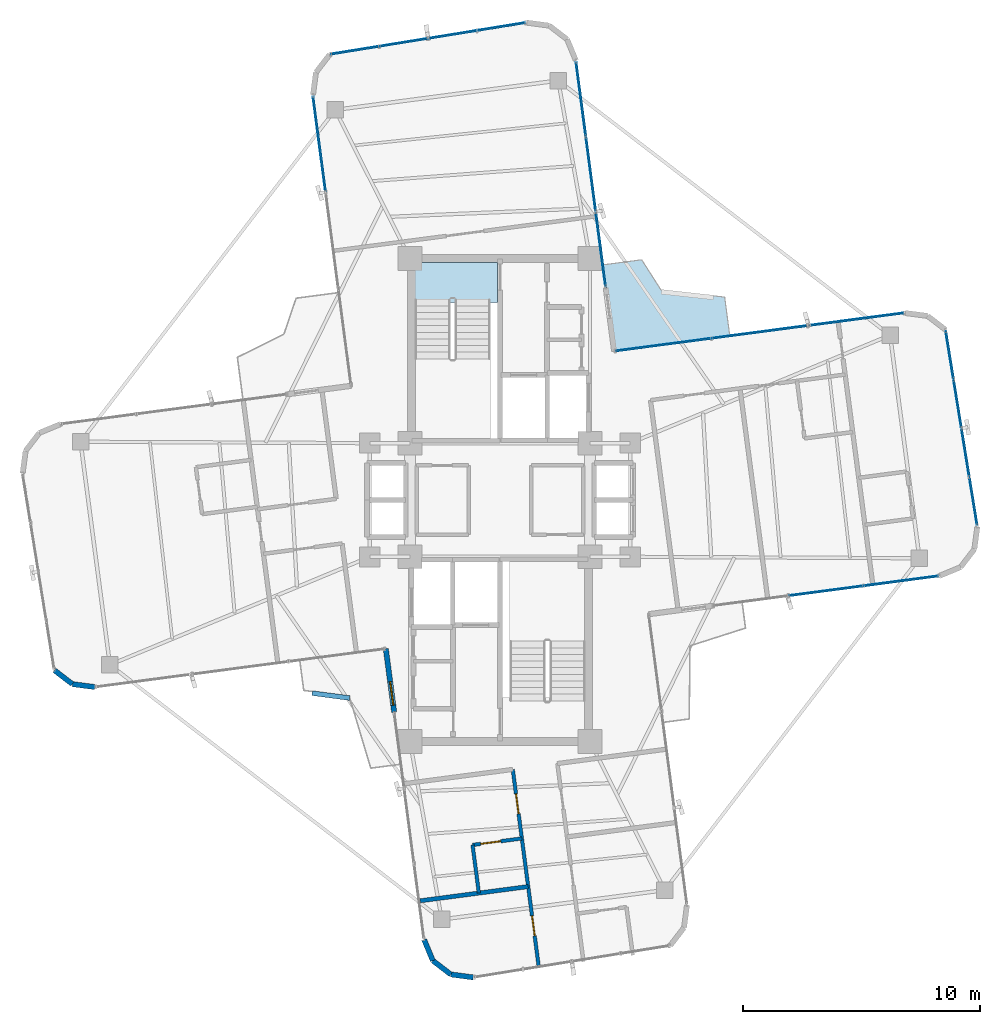
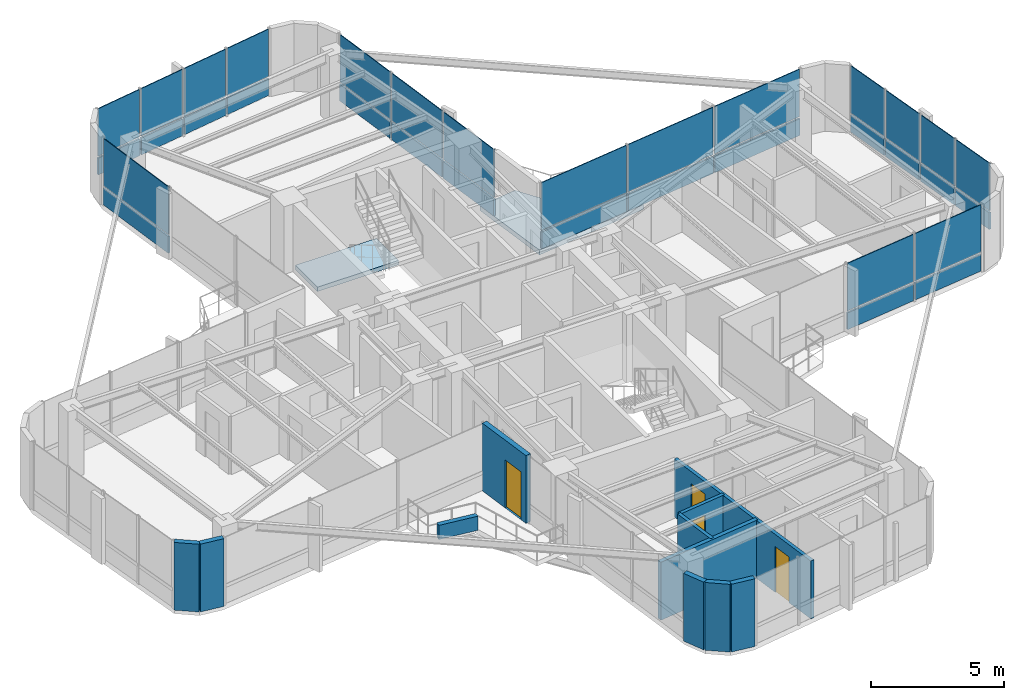
# One storey, part 18 of 22: 34 plates, 11 walls, 4 doors, 2 slabs, 4 openings, 6 elements without a shape of their own.
"""IFC4 building model written with IfcOpenShell, lengths in metres."""

from ifc_helpers import new_model, si_unit, direction, frame, frame_2d, origin, origin_2d, place, context, subcontext, project, spatial, polyline, rectangle, outline, extrude, source, transform, mapped, material, layer, layer_set, type_object, element, fill, aggregate, save


model = new_model("IFC4")

# Units and contexts
model_context = context("Model", 3, precision=1e-05, world=origin(), true_north=direction((0.0, 1.0)))
body_context = subcontext(model_context, "Body", "Model", "MODEL_VIEW")
ifc_project = project(units=[si_unit("LENGTHUNIT", "METRE"), si_unit("AREAUNIT", "SQUARE_METRE"), si_unit("VOLUMEUNIT", "CUBIC_METRE"), si_unit("PLANEANGLEUNIT", "RADIAN"), si_unit("MASSUNIT", "GRAM", prefix="KILO")], contexts=[model_context])

# Site, building, storey
site_placement = place(None, origin())
site = spatial("IfcSite", under=ifc_project, at=site_placement, CompositionType="ELEMENT")
building_placement = place(site_placement, origin())
building = spatial("IfcBuilding", under=site, at=building_placement, Name="Sahyath Konkavel Grand Hotel", CompositionType="ELEMENT")
storey_placement = place(building_placement, frame((0.0, 0.0, 269.10009765625)))
storey = spatial("IfcBuildingStorey", under=building, at=storey_placement, Name="L75", CompositionType="ELEMENT", Elevation=269.10009765625)

# Slabs
ifc_material_1 = material(Name="Concrete C40/50", Category="concrete")
ifc_layer_1 = layer(ifc_material_1, 0.219970703125)
ifc_layer_set_1 = layer_set([ifc_layer_1], Name="Concrete C40/50")
slab_type_1 = type_object("IfcSlabType", Name="SLB-BALCONY-220", PredefinedType="FLOOR", material=ifc_layer_set_1)
slab_1_placement = place(storey_placement, frame((0.0, 0.0, -0.22021484375)))
element("IfcSlab", 1, at=slab_1_placement, inside=storey, type_object=slab_type_1, Name="L75 Winter-Garden Balcony NE", PredefinedType="FLOOR", context=body_context, shape_type="SweptSolid", body=[
    extrude(outline(polyline([(4.821044921875, 6.282958984375), (9.702880859375, 6.92578125), (9.48681640625, 8.567626953125), (6.80126953125, 8.863525390625), (5.983154296875, 10.143798828125), (4.34130859375, 9.927490234375), (4.821044921875, 6.282958984375)])), origin(), (0.0, 0.0, 1.0), 0.22021484375),
])
ifc_layer_2 = layer(ifc_material_1, 0.199951171875)
ifc_layer_set_2 = layer_set([ifc_layer_2], Name="Concrete C40/50")
slab_type_2 = type_object("IfcSlabType", Name="SLB-STAIR-LND", PredefinedType="LANDING", material=ifc_layer_set_2)
slab_2_placement = place(storey_placement, frame((0.0, 0.0, -0.2001953125)))
element("IfcSlab", 2, at=slab_2_placement, inside=storey, type_object=slab_type_2, Name="L75 Stair ST-1 Floor Landing Slab", PredefinedType="LANDING", context=body_context, shape_type="SweptSolid", body=[
    extrude(outline(polyline([(-3.6201171875, 8.35009765625), (-0.10009765625, 8.35009765625), (-0.10009765625, 10.02001953125), (-3.6201171875, 10.02001953125), (-3.6201171875, 8.35009765625)])), origin(), (0.0, 0.0, 1.0), 0.2001953125),
])

# Curtain wall, plates
ifc_material_2 = material(Name="Anodised Bronze Aluminium & Low-E Glazing", Category="aluminium")
curtain_wall_type = type_object("IfcCurtainWallType", Name="CW-ZONE4", PredefinedType="NOTDEFINED", material=ifc_material_2)
curtain_wall_1_placement = place(storey_placement, origin())
curtain_wall_1 = element("IfcCurtainWall", 3, at=curtain_wall_1_placement, inside=storey, type_object=curtain_wall_type, Name="L75 Unitised Curtain Wall F0", PredefinedType="NOTDEFINED")
ifc_material_3 = material(Name="Warm Buff Sandstone Cladding", Category="masonry")
ifc_layer_3 = layer(ifc_material_3, 0.074951171875)
ifc_layer_set_3 = layer_set([ifc_layer_3], Name="Warm Buff Sandstone Cladding")
plate_type_1 = type_object("IfcPlateType", Name="PNL-SPANDREL-STONE", PredefinedType="SHEET", material=ifc_layer_set_3)
shared_shape_1 = source(origin(), body_context, "Body", "SweptSolid", [
    extrude(rectangle(XDim=3.123291015625, YDim=0.074951171875, at=origin_2d()), origin(), (0.0, 0.0, 1.0), 0.77001953125),
])
plate_1_placement = place(storey_placement, frame((13.763427734375, -3.836181640625, 0.039794921875), z_axis=(0.0, 0.0, 1.0), x_axis=(0.991444861374, 0.13052619222, 0.0)))
plate_1 = element("IfcPlate", 4, at=plate_1_placement, type_object=plate_type_1, Name="L75 Sandstone Relief Spandrel Panel F0-1", PredefinedType="SHEET", context=body_context, shape_type="MappedRepresentation", body=[
    mapped(shared_shape_1, transform((0.0, 0.0, 0.0), scale=1.0)),
])
plate_2_placement = place(storey_placement, frame((16.939453125, -3.418212890625, 0.039794921875), z_axis=(0.0, 0.0, 1.0), x_axis=(0.991444861374, 0.13052619222, 0.0)))
plate_2 = element("IfcPlate", 5, at=plate_2_placement, type_object=plate_type_1, Name="L75 Sandstone Relief Spandrel Panel F0-2", PredefinedType="SHEET", context=body_context, shape_type="MappedRepresentation", body=[
    mapped(shared_shape_1, transform((0.0, 0.0, 0.0), scale=1.0)),
])

curtain_wall_2_placement = place(storey_placement, origin())
curtain_wall_2 = element("IfcCurtainWall", 6, at=curtain_wall_2_placement, inside=storey, type_object=curtain_wall_type, Name="L75 Unitised Curtain Wall F8", PredefinedType="NOTDEFINED")
plate_3_placement = place(storey_placement, frame((4.25439453125, 10.587646484375, 0.039794921875), z_axis=(0.0, 0.0, 1.0), x_axis=(-0.13052619222, 0.991444861374, 0.0)))
plate_3 = element("IfcPlate", 7, at=plate_3_placement, type_object=plate_type_1, Name="L75 Sandstone Relief Spandrel Panel F8-0", PredefinedType="SHEET", context=body_context, shape_type="MappedRepresentation", body=[
    mapped(shared_shape_1, transform((0.0, 0.0, 0.0), scale=1.0)),
])
plate_4_placement = place(storey_placement, frame((3.836181640625, 13.763427734375, 0.039794921875), z_axis=(0.0, 0.0, 1.0), x_axis=(-0.13052619222, 0.991444861374, 0.0)))
plate_4 = element("IfcPlate", 8, at=plate_4_placement, type_object=plate_type_1, Name="L75 Sandstone Relief Spandrel Panel F8-1", PredefinedType="SHEET", context=body_context, shape_type="MappedRepresentation", body=[
    mapped(shared_shape_1, transform((0.0, 0.0, 0.0), scale=1.0)),
])
plate_5_placement = place(storey_placement, frame((3.418212890625, 16.939453125, 0.039794921875), z_axis=(0.0, 0.0, 1.0), x_axis=(-0.13052619222, 0.991444861374, 0.0)))
plate_5 = element("IfcPlate", 9, at=plate_5_placement, type_object=plate_type_1, Name="L75 Sandstone Relief Spandrel Panel F8-2", PredefinedType="SHEET", context=body_context, shape_type="MappedRepresentation", body=[
    mapped(shared_shape_1, transform((0.0, 0.0, 0.0), scale=1.0)),
])

# Plate
ifc_material_4 = material(Name="Low-E Solar Control Double Glazing", Category="glass")
ifc_layer_4 = layer(ifc_material_4, 0.035888671875)
ifc_layer_set_4 = layer_set([ifc_layer_4], Name="Low-E Solar Control Double Glazing")
plate_type_2 = type_object("IfcPlateType", Name="PNL-VISION-LOWE", PredefinedType="CURTAIN_PANEL", material=ifc_layer_set_4)
shared_shape_2 = source(origin(), body_context, "Body", "SweptSolid", [
    extrude(rectangle(XDim=3.123291015625, YDim=0.035888671875, at=origin_2d()), origin(), (0.0, 0.0, 1.0), 2.179931640625),
])
plate_6_placement = place(storey_placement, frame((13.763427734375, -3.836181640625, 0.89013671875), z_axis=(0.0, 0.0, 1.0), x_axis=(0.991444861374, 0.13052619222, 0.0)))
plate_6 = element("IfcPlate", 10, at=plate_6_placement, type_object=plate_type_2, Name="L75 Low-E Vision Glazing Panel F0-1", PredefinedType="CURTAIN_PANEL", context=body_context, shape_type="MappedRepresentation", body=[
    mapped(shared_shape_2, transform((0.0, 0.0, 0.0), scale=1.0)),
])

plate_7_placement = place(storey_placement, frame((16.939453125, -3.418212890625, 0.89013671875), z_axis=(0.0, 0.0, 1.0), x_axis=(0.991444861374, 0.13052619222, 0.0)))
plate_7 = element("IfcPlate", 11, at=plate_7_placement, type_object=plate_type_2, Name="L75 Low-E Vision Glazing Panel F0-2", PredefinedType="CURTAIN_PANEL", context=body_context, shape_type="MappedRepresentation", body=[
    mapped(shared_shape_2, transform((0.0, 0.0, 0.0), scale=1.0)),
])

aggregate(curtain_wall_1, [plate_1, plate_6, plate_2, plate_7])

plate_8_placement = place(storey_placement, frame((4.25439453125, 10.587646484375, 0.89013671875), z_axis=(0.0, 0.0, 1.0), x_axis=(-0.13052619222, 0.991444861374, 0.0)))
plate_8 = element("IfcPlate", 12, at=plate_8_placement, type_object=plate_type_2, Name="L75 Low-E Vision Glazing Panel F8-0", PredefinedType="CURTAIN_PANEL", context=body_context, shape_type="MappedRepresentation", body=[
    mapped(shared_shape_2, transform((0.0, 0.0, 0.0), scale=1.0)),
])

plate_9_placement = place(storey_placement, frame((3.836181640625, 13.763427734375, 0.89013671875), z_axis=(0.0, 0.0, 1.0), x_axis=(-0.13052619222, 0.991444861374, 0.0)))
plate_9 = element("IfcPlate", 13, at=plate_9_placement, type_object=plate_type_2, Name="L75 Low-E Vision Glazing Panel F8-1", PredefinedType="CURTAIN_PANEL", context=body_context, shape_type="MappedRepresentation", body=[
    mapped(shared_shape_2, transform((0.0, 0.0, 0.0), scale=1.0)),
])

plate_10_placement = place(storey_placement, frame((3.418212890625, 16.939453125, 0.89013671875), z_axis=(0.0, 0.0, 1.0), x_axis=(-0.13052619222, 0.991444861374, 0.0)))
plate_10 = element("IfcPlate", 14, at=plate_10_placement, type_object=plate_type_2, Name="L75 Low-E Vision Glazing Panel F8-2", PredefinedType="CURTAIN_PANEL", context=body_context, shape_type="MappedRepresentation", body=[
    mapped(shared_shape_2, transform((0.0, 0.0, 0.0), scale=1.0)),
])

aggregate(curtain_wall_2, [plate_3, plate_8, plate_4, plate_9, plate_5, plate_10])

# Curtain wall, plates
curtain_wall_3_placement = place(storey_placement, origin())
curtain_wall_3 = element("IfcCurtainWall", 15, at=curtain_wall_3_placement, inside=storey, type_object=curtain_wall_type, Name="L75 Unitised Curtain Wall F4", PredefinedType="NOTDEFINED")
shared_shape_3 = source(origin(), body_context, "Body", "SweptSolid", [
    extrude(rectangle(XDim=2.007080078125, YDim=0.074951171875, at=origin_2d()), origin(), (0.0, 0.0, 1.0), 0.77001953125),
])
plate_11_placement = place(storey_placement, frame((19.98681640625, -0.05859375, 0.039794921875), z_axis=(0.0, 0.0, 1.0), x_axis=(-0.159622750546, 0.987178088041, 0.0)))
plate_11 = element("IfcPlate", 16, at=plate_11_placement, type_object=plate_type_1, Name="L75 Sandstone Relief Spandrel Panel F4-0", PredefinedType="SHEET", context=body_context, shape_type="MappedRepresentation", body=[
    mapped(shared_shape_3, transform((0.0, 0.0, 0.0), scale=1.0)),
])
plate_12_placement = place(storey_placement, frame((19.653564453125, 2.001708984375, 0.039794921875), z_axis=(0.0, 0.0, 1.0), x_axis=(-0.159622750546, 0.987178088041, 0.0)))
plate_12 = element("IfcPlate", 17, at=plate_12_placement, type_object=plate_type_1, Name="L75 Sandstone Relief Spandrel Panel F4-1", PredefinedType="SHEET", context=body_context, shape_type="MappedRepresentation", body=[
    mapped(shared_shape_3, transform((0.0, 0.0, 0.0), scale=1.0)),
])
plate_13_placement = place(storey_placement, frame((19.3203125, 4.062255859375, 0.039794921875), z_axis=(0.0, 0.0, 1.0), x_axis=(-0.159622750546, 0.987178088041, 0.0)))
plate_13 = element("IfcPlate", 18, at=plate_13_placement, type_object=plate_type_1, Name="L75 Sandstone Relief Spandrel Panel F4-2", PredefinedType="SHEET", context=body_context, shape_type="MappedRepresentation", body=[
    mapped(shared_shape_3, transform((0.0, 0.0, 0.0), scale=1.0)),
])
plate_14_placement = place(storey_placement, frame((18.9873046875, 6.12255859375, 0.039794921875), z_axis=(0.0, 0.0, 1.0), x_axis=(-0.159622750546, 0.987178088041, 0.0)))
plate_14 = element("IfcPlate", 19, at=plate_14_placement, type_object=plate_type_1, Name="L75 Sandstone Relief Spandrel Panel F4-3", PredefinedType="SHEET", context=body_context, shape_type="MappedRepresentation", body=[
    mapped(shared_shape_3, transform((0.0, 0.0, 0.0), scale=1.0)),
])

curtain_wall_4_placement = place(storey_placement, origin())
curtain_wall_4 = element("IfcCurtainWall", 20, at=curtain_wall_4_placement, inside=storey, type_object=curtain_wall_type, Name="L75 Unitised Curtain Wall F12", PredefinedType="NOTDEFINED")
plate_15_placement = place(storey_placement, frame((0.05859375, 19.98681640625, 0.039794921875), z_axis=(0.0, 0.0, 1.0), x_axis=(-0.987178088041, -0.159622750546, 0.0)))
plate_15 = element("IfcPlate", 21, at=plate_15_placement, type_object=plate_type_1, Name="L75 Sandstone Relief Spandrel Panel F12-0", PredefinedType="SHEET", context=body_context, shape_type="MappedRepresentation", body=[
    mapped(shared_shape_3, transform((0.0, 0.0, 0.0), scale=1.0)),
])
plate_16_placement = place(storey_placement, frame((-2.001708984375, 19.653564453125, 0.039794921875), z_axis=(0.0, 0.0, 1.0), x_axis=(-0.987178088041, -0.159622750546, 0.0)))
plate_16 = element("IfcPlate", 22, at=plate_16_placement, type_object=plate_type_1, Name="L75 Sandstone Relief Spandrel Panel F12-1", PredefinedType="SHEET", context=body_context, shape_type="MappedRepresentation", body=[
    mapped(shared_shape_3, transform((0.0, 0.0, 0.0), scale=1.0)),
])
plate_17_placement = place(storey_placement, frame((-4.062255859375, 19.3203125, 0.039794921875), z_axis=(0.0, 0.0, 1.0), x_axis=(-0.987178088041, -0.159622750546, 0.0)))
plate_17 = element("IfcPlate", 23, at=plate_17_placement, type_object=plate_type_1, Name="L75 Sandstone Relief Spandrel Panel F12-2", PredefinedType="SHEET", context=body_context, shape_type="MappedRepresentation", body=[
    mapped(shared_shape_3, transform((0.0, 0.0, 0.0), scale=1.0)),
])
plate_18_placement = place(storey_placement, frame((-6.12255859375, 18.9873046875, 0.039794921875), z_axis=(0.0, 0.0, 1.0), x_axis=(-0.987178088041, -0.159622750546, 0.0)))
plate_18 = element("IfcPlate", 24, at=plate_18_placement, type_object=plate_type_1, Name="L75 Sandstone Relief Spandrel Panel F12-3", PredefinedType="SHEET", context=body_context, shape_type="MappedRepresentation", body=[
    mapped(shared_shape_3, transform((0.0, 0.0, 0.0), scale=1.0)),
])

# Plate
shared_shape_4 = source(origin(), body_context, "Body", "SweptSolid", [
    extrude(rectangle(XDim=2.007080078125, YDim=0.035888671875, at=origin_2d()), origin(), (0.0, 0.0, 1.0), 2.179931640625),
])
plate_19_placement = place(storey_placement, frame((19.98681640625, -0.05859375, 0.89013671875), z_axis=(0.0, 0.0, 1.0), x_axis=(-0.159622750546, 0.987178088041, 0.0)))
plate_19 = element("IfcPlate", 25, at=plate_19_placement, type_object=plate_type_2, Name="L75 Low-E Vision Glazing Panel F4-0", PredefinedType="CURTAIN_PANEL", context=body_context, shape_type="MappedRepresentation", body=[
    mapped(shared_shape_4, transform((0.0, 0.0, 0.0), scale=1.0)),
])

plate_20_placement = place(storey_placement, frame((19.653564453125, 2.001708984375, 0.89013671875), z_axis=(0.0, 0.0, 1.0), x_axis=(-0.159622750546, 0.987178088041, 0.0)))
plate_20 = element("IfcPlate", 26, at=plate_20_placement, type_object=plate_type_2, Name="L75 Low-E Vision Glazing Panel F4-1", PredefinedType="CURTAIN_PANEL", context=body_context, shape_type="MappedRepresentation", body=[
    mapped(shared_shape_4, transform((0.0, 0.0, 0.0), scale=1.0)),
])

plate_21_placement = place(storey_placement, frame((19.3203125, 4.062255859375, 0.89013671875), z_axis=(0.0, 0.0, 1.0), x_axis=(-0.159622750546, 0.987178088041, 0.0)))
plate_21 = element("IfcPlate", 27, at=plate_21_placement, type_object=plate_type_2, Name="L75 Low-E Vision Glazing Panel F4-2", PredefinedType="CURTAIN_PANEL", context=body_context, shape_type="MappedRepresentation", body=[
    mapped(shared_shape_4, transform((0.0, 0.0, 0.0), scale=1.0)),
])

plate_22_placement = place(storey_placement, frame((18.9873046875, 6.12255859375, 0.89013671875), z_axis=(0.0, 0.0, 1.0), x_axis=(-0.159622750546, 0.987178088041, 0.0)))
plate_22 = element("IfcPlate", 28, at=plate_22_placement, type_object=plate_type_2, Name="L75 Low-E Vision Glazing Panel F4-3", PredefinedType="CURTAIN_PANEL", context=body_context, shape_type="MappedRepresentation", body=[
    mapped(shared_shape_4, transform((0.0, 0.0, 0.0), scale=1.0)),
])

aggregate(curtain_wall_3, [plate_11, plate_19, plate_12, plate_20, plate_13, plate_21, plate_14, plate_22])

plate_23_placement = place(storey_placement, frame((0.05859375, 19.98681640625, 0.89013671875), z_axis=(0.0, 0.0, 1.0), x_axis=(-0.987178088041, -0.159622750546, 0.0)))
plate_23 = element("IfcPlate", 29, at=plate_23_placement, type_object=plate_type_2, Name="L75 Low-E Vision Glazing Panel F12-0", PredefinedType="CURTAIN_PANEL", context=body_context, shape_type="MappedRepresentation", body=[
    mapped(shared_shape_4, transform((0.0, 0.0, 0.0), scale=1.0)),
])

plate_24_placement = place(storey_placement, frame((-2.001708984375, 19.653564453125, 0.89013671875), z_axis=(0.0, 0.0, 1.0), x_axis=(-0.987178088041, -0.159622750546, 0.0)))
plate_24 = element("IfcPlate", 30, at=plate_24_placement, type_object=plate_type_2, Name="L75 Low-E Vision Glazing Panel F12-1", PredefinedType="CURTAIN_PANEL", context=body_context, shape_type="MappedRepresentation", body=[
    mapped(shared_shape_4, transform((0.0, 0.0, 0.0), scale=1.0)),
])

plate_25_placement = place(storey_placement, frame((-4.062255859375, 19.3203125, 0.89013671875), z_axis=(0.0, 0.0, 1.0), x_axis=(-0.987178088041, -0.159622750546, 0.0)))
plate_25 = element("IfcPlate", 31, at=plate_25_placement, type_object=plate_type_2, Name="L75 Low-E Vision Glazing Panel F12-2", PredefinedType="CURTAIN_PANEL", context=body_context, shape_type="MappedRepresentation", body=[
    mapped(shared_shape_4, transform((0.0, 0.0, 0.0), scale=1.0)),
])

plate_26_placement = place(storey_placement, frame((-6.12255859375, 18.9873046875, 0.89013671875), z_axis=(0.0, 0.0, 1.0), x_axis=(-0.987178088041, -0.159622750546, 0.0)))
plate_26 = element("IfcPlate", 32, at=plate_26_placement, type_object=plate_type_2, Name="L75 Low-E Vision Glazing Panel F12-3", PredefinedType="CURTAIN_PANEL", context=body_context, shape_type="MappedRepresentation", body=[
    mapped(shared_shape_4, transform((0.0, 0.0, 0.0), scale=1.0)),
])

aggregate(curtain_wall_4, [plate_15, plate_23, plate_16, plate_24, plate_17, plate_25, plate_18, plate_26])

# Curtain wall, plates
curtain_wall_5_placement = place(storey_placement, origin())
curtain_wall_5 = element("IfcCurtainWall", 33, at=curtain_wall_5_placement, inside=storey, type_object=curtain_wall_type, Name="L75 Unitised Curtain Wall F7", PredefinedType="NOTDEFINED")
shared_shape_5 = source(origin(), body_context, "Body", "SweptSolid", [
    extrude(rectangle(XDim=4.023193359375, YDim=0.074951171875, at=origin_2d()), origin(), (0.0, 0.0, 1.0), 0.77001953125),
])
plate_27_placement = place(storey_placement, frame((15.03125, 7.627197265625, 0.039794921875), z_axis=(0.0, 0.0, 1.0), x_axis=(-0.991444861374, -0.13052619222, 0.0)))
plate_27 = element("IfcPlate", 34, at=plate_27_placement, type_object=plate_type_1, Name="L75 Sandstone Relief Spandrel Panel F7-0", PredefinedType="SHEET", context=body_context, shape_type="MappedRepresentation", body=[
    mapped(shared_shape_5, transform((0.0, 0.0, 0.0), scale=1.0)),
])
plate_28_placement = place(storey_placement, frame((10.963134765625, 7.091552734375, 0.039794921875), z_axis=(0.0, 0.0, 1.0), x_axis=(-0.991444861374, -0.13052619222, 0.0)))
plate_28 = element("IfcPlate", 35, at=plate_28_placement, type_object=plate_type_1, Name="L75 Sandstone Relief Spandrel Panel F7-1", PredefinedType="SHEET", context=body_context, shape_type="MappedRepresentation", body=[
    mapped(shared_shape_5, transform((0.0, 0.0, 0.0), scale=1.0)),
])
plate_29_placement = place(storey_placement, frame((6.89501953125, 6.555908203125, 0.039794921875), z_axis=(0.0, 0.0, 1.0), x_axis=(-0.991444861374, -0.13052619222, 0.0)))
plate_29 = element("IfcPlate", 36, at=plate_29_placement, type_object=plate_type_1, Name="L75 Sandstone Relief Spandrel Panel F7-2", PredefinedType="SHEET", context=body_context, shape_type="MappedRepresentation", body=[
    mapped(shared_shape_5, transform((0.0, 0.0, 0.0), scale=1.0)),
])

# Curtain wall, plate
curtain_wall_6_placement = place(storey_placement, origin())
curtain_wall_6 = element("IfcCurtainWall", 37, at=curtain_wall_6_placement, inside=storey, type_object=curtain_wall_type, Name="L75 Unitised Curtain Wall F15", PredefinedType="NOTDEFINED")
plate_30_placement = place(storey_placement, frame((-7.627197265625, 15.03125, 0.039794921875), z_axis=(0.0, 0.0, 1.0), x_axis=(0.13052619222, -0.991444861374, 0.0)))
plate_30 = element("IfcPlate", 38, at=plate_30_placement, type_object=plate_type_1, Name="L75 Sandstone Relief Spandrel Panel F15-0", PredefinedType="SHEET", context=body_context, shape_type="MappedRepresentation", body=[
    mapped(shared_shape_5, transform((0.0, 0.0, 0.0), scale=1.0)),
])

# Plate
shared_shape_6 = source(origin(), body_context, "Body", "SweptSolid", [
    extrude(rectangle(XDim=4.023193359375, YDim=0.035888671875, at=origin_2d()), origin(), (0.0, 0.0, 1.0), 2.179931640625),
])
plate_31_placement = place(storey_placement, frame((15.03125, 7.627197265625, 0.89013671875), z_axis=(0.0, 0.0, 1.0), x_axis=(-0.991444861374, -0.13052619222, 0.0)))
plate_31 = element("IfcPlate", 39, at=plate_31_placement, type_object=plate_type_2, Name="L75 Low-E Vision Glazing Panel F7-0", PredefinedType="CURTAIN_PANEL", context=body_context, shape_type="MappedRepresentation", body=[
    mapped(shared_shape_6, transform((0.0, 0.0, 0.0), scale=1.0)),
])

plate_32_placement = place(storey_placement, frame((10.963134765625, 7.091552734375, 0.89013671875), z_axis=(0.0, 0.0, 1.0), x_axis=(-0.991444861374, -0.13052619222, 0.0)))
plate_32 = element("IfcPlate", 40, at=plate_32_placement, type_object=plate_type_2, Name="L75 Low-E Vision Glazing Panel F7-1", PredefinedType="CURTAIN_PANEL", context=body_context, shape_type="MappedRepresentation", body=[
    mapped(shared_shape_6, transform((0.0, 0.0, 0.0), scale=1.0)),
])

plate_33_placement = place(storey_placement, frame((6.89501953125, 6.555908203125, 0.89013671875), z_axis=(0.0, 0.0, 1.0), x_axis=(-0.991444861374, -0.13052619222, 0.0)))
plate_33 = element("IfcPlate", 41, at=plate_33_placement, type_object=plate_type_2, Name="L75 Low-E Vision Glazing Panel F7-2", PredefinedType="CURTAIN_PANEL", context=body_context, shape_type="MappedRepresentation", body=[
    mapped(shared_shape_6, transform((0.0, 0.0, 0.0), scale=1.0)),
])

aggregate(curtain_wall_5, [plate_27, plate_31, plate_28, plate_32, plate_29, plate_33])

plate_34_placement = place(storey_placement, frame((-7.627197265625, 15.03125, 0.89013671875), z_axis=(0.0, 0.0, 1.0), x_axis=(0.13052619222, -0.991444861374, 0.0)))
plate_34 = element("IfcPlate", 42, at=plate_34_placement, type_object=plate_type_2, Name="L75 Low-E Vision Glazing Panel F15-0", PredefinedType="CURTAIN_PANEL", context=body_context, shape_type="MappedRepresentation", body=[
    mapped(shared_shape_6, transform((0.0, 0.0, 0.0), scale=1.0)),
])

aggregate(curtain_wall_6, [plate_30, plate_34])

# Walls
ifc_material_5 = material(Name="Warm Buff Sandstone Insulated Concrete C40/50", Category="masonry")
ifc_layer_5 = layer(ifc_material_5, 0.219970703125)
ifc_layer_set_5 = layer_set([ifc_layer_5], Name="Warm Buff Sandstone Insulated Concrete C40/50")
wall_type_1 = type_object("IfcWallType", Name="WLL-BALC-THRESH", PredefinedType="STANDARD", material=ifc_layer_set_5)
wall_1_placement = place(storey_placement, frame((-18.814208984375, -7.1923828125, 0.0), z_axis=(0.0, 0.0, 1.0), x_axis=(0.793249178392, -0.608897151398, 0.0)))
element("IfcWall", 43, at=wall_1_placement, inside=storey, type_object=wall_type_1, Name="L75 Rounded Corner Sandstone Pier 21", PredefinedType="STANDARD", context=body_context, shape_type="SweptSolid", body=[
    extrude(rectangle(XDim=0.95751953125, YDim=0.219970703125, at=frame_2d((0.478759765625, 0.0))), origin(), (0.0, 0.0, 1.0), 3.10986328125),
])
wall_2_placement = place(storey_placement, frame((-18.0546875, -7.775390625, 0.0), z_axis=(0.0, 0.0, 1.0), x_axis=(0.991449089759, -0.130494070426, 0.0)))
element("IfcWall", 44, at=wall_2_placement, inside=storey, type_object=wall_type_1, Name="L75 Rounded Corner Sandstone Pier 22", PredefinedType="STANDARD", context=body_context, shape_type="SweptSolid", body=[
    extrude(rectangle(XDim=0.9580078125, YDim=0.219970703125, at=frame_2d((0.47900390625, 0.0))), origin(), (0.0, 0.0, 1.0), 3.10986328125),
])

# Wall, opening, door
wall_3_placement = place(storey_placement, frame((-4.821044921875, -6.282958984375, 0.0), z_axis=(0.0, 0.0, 1.0), x_axis=(0.130475563272, -0.991451525486, 0.0)))
wall_3 = element("IfcWall", 45, at=wall_3_placement, inside=storey, type_object=wall_type_1, Name="L75 Winter-Garden Threshold Wall 24", PredefinedType="STANDARD", context=body_context, shape_type="SweptSolid", body=[
    extrude(rectangle(XDim=2.7001953125, YDim=0.219970703125, at=frame_2d((1.35009765625, 0.0))), origin(), (0.0, 0.0, 1.0), 3.10986328125),
])
opening_1_placement = place(wall_3_placement, frame((1.39990234375, 0.0, 0.0)))
opening_1 = element("IfcOpeningElement", 46, at=opening_1_placement, cuts=wall_3, Name="Opening D-TR1", PredefinedType="OPENING", context=body_context, shape_type="SweptSolid", body=[
    extrude(rectangle(XDim=1.0, YDim=2.199951171875, at=frame_2d((0.5, 1.10009765625))), frame((0.0, 0.1201171875, 0.0), z_axis=(0.0, -1.0, 0.0), x_axis=(1.0, 0.0, 0.0)), (0.0, 0.0, 1.0), 0.239990234375),
])
door_type_1 = type_object("IfcDoorType", Name="DR-TERRACE-1000", OperationType="NOTDEFINED", PredefinedType="DOOR", material=ifc_material_2)
shared_shape_7 = source(origin(), body_context, "Body", "SweptSolid", [
    extrude(rectangle(XDim=1.0, YDim=0.050048828125, at=origin_2d()), origin(), (0.0, 0.0, 1.0), 2.199951171875),
])
door_1_placement = place(opening_1_placement, frame((0.5, 0.0, 0.0)))
door_1 = element("IfcDoor", 47, at=door_1_placement, inside=storey, type_object=door_type_1, Name="L75 Winter-Garden Terrace Door 24", OperationType="SINGLE_SWING_LEFT", OverallHeight=2.199951171875, OverallWidth=1.0, PredefinedType="DOOR", context=body_context, shape_type="MappedRepresentation", body=[
    mapped(shared_shape_7, transform((0.0, 0.0, 0.0), scale=1.0)),
])
fill(opening_1, door_1)

# Walls
wall_4_placement = place(storey_placement, frame((-3.203857421875, -18.56689453125, 0.0), z_axis=(0.0, 0.0, 1.0), x_axis=(0.382569397359, -0.923926759112, 0.0)))
element("IfcWall", 48, at=wall_4_placement, inside=storey, type_object=wall_type_1, Name="L75 Rounded Corner Sandstone Pier 25", PredefinedType="STANDARD", context=body_context, shape_type="SweptSolid", body=[
    extrude(rectangle(XDim=0.957763671875, YDim=0.219970703125, at=frame_2d((0.47900390625, 0.0))), origin(), (0.0, 0.0, 1.0), 3.10986328125),
])
for number, where, z_axis, x_axis, name in (
    (49, (-2.83740234375, -19.451904296875, 0.0), (0.0, 0.0, 1.0), (0.793466811674, -0.60861352168, 0.0), "L75 Rounded Corner Sandstone Pier 26"),
    (50, (-2.07763671875, -20.03466796875, 0.0), (0.0, 0.0, 1.0), (0.991440402921, -0.13056005306, 0.0), "L75 Rounded Corner Sandstone Pier 27"),
):
    element("IfcWall", number, at=place(storey_placement, frame(where, z_axis=z_axis, x_axis=x_axis)), inside=storey, type_object=wall_type_1, Name=name, PredefinedType="STANDARD", context=body_context, shape_type="SweptSolid", body=[
        extrude(rectangle(XDim=0.95751953125, YDim=0.219970703125, at=frame_2d((0.478759765625, 0.0))), origin(), (0.0, 0.0, 1.0), 3.10986328125),
    ])
ifc_material_6 = material(Name="Twin-Stud Acoustic Gypsum Plasterboard Partition")
ifc_layer_6 = layer(ifc_material_6, 0.179931640625)
ifc_layer_set_6 = layer_set([ifc_layer_6], Name="Twin-Stud Acoustic Gypsum Plasterboard Partition")
wall_type_2 = type_object("IfcWallType", Name="WLL-DEMISE-180", PredefinedType="PARTITIONING", material=ifc_layer_set_6)
wall_5_placement = place(storey_placement, frame((1.19091796875, -16.32421875, 0.0), z_axis=(0.0, 0.0, 1.0), x_axis=(-0.991446706518, -0.130512176195, 0.0)))
element("IfcWall", 51, at=wall_5_placement, inside=storey, type_object=wall_type_2, Name="L75 Partition S-S1R-DEM", PredefinedType="PARTITIONING", context=body_context, shape_type="SweptSolid", body=[
    extrude(rectangle(XDim=4.599853515625, YDim=0.179931640625, at=frame_2d((2.2998046875, 0.0))), origin(), (0.0, 0.0, 1.0), 2.659912109375),
])

# Wall, openings, doors
ifc_material_7 = material(Name="Fire-Rated Gypsum Plasterboard Partition")
ifc_layer_7 = layer(ifc_material_7, 0.14990234375)
ifc_layer_set_7 = layer_set([ifc_layer_7], Name="Fire-Rated Gypsum Plasterboard Partition")
wall_type_3 = type_object("IfcWallType", Name="WLL-PART-150", PredefinedType="PARTITIONING", material=ifc_layer_set_7)
wall_6_placement = place(storey_placement, frame((0.53955078125, -11.376953125, 0.0), z_axis=(0.0, 0.0, 1.0), x_axis=(0.130518864652, -0.991445826039, 0.0)))
wall_6 = element("IfcWall", 52, at=wall_6_placement, inside=storey, type_object=wall_type_3, Name="L75 Partition S-CR", PredefinedType="PARTITIONING", context=body_context, shape_type="SweptSolid", body=[
    extrude(rectangle(XDim=8.43994140625, YDim=0.14990234375, at=frame_2d((4.219970703125, 0.0))), origin(), (0.0, 0.0, 1.0), 2.659912109375),
])
opening_2_placement = place(wall_6_placement, frame((1.044921875, 0.0, 0.0)))
opening_2 = element("IfcOpeningElement", 53, at=opening_2_placement, cuts=wall_6, Name="Opening D-F06D", PredefinedType="OPENING", context=body_context, shape_type="SweptSolid", body=[
    extrude(rectangle(XDim=0.85009765625, YDim=2.10009765625, at=frame_2d((0.425048828125, 1.050048828125))), frame((0.0, 0.0849609375, 0.0), z_axis=(0.0, -1.0, 0.0), x_axis=(1.0, 0.0, 0.0)), (0.0, 0.0, 1.0), 0.169921875),
])
opening_3_placement = place(wall_6_placement, frame((6.239990234375, 0.0, 0.0)))
opening_3 = element("IfcOpeningElement", 54, at=opening_3_placement, cuts=wall_6, Name="Opening D-F06D", PredefinedType="OPENING", context=body_context, shape_type="SweptSolid", body=[
    extrude(rectangle(XDim=0.85009765625, YDim=2.10009765625, at=frame_2d((0.425048828125, 1.050048828125))), frame((0.0, 0.0849609375, 0.0), z_axis=(0.0, -1.0, 0.0), x_axis=(1.0, 0.0, 0.0)), (0.0, 0.0, 1.0), 0.169921875),
])
ifc_material_8 = material(Name="Fire-Rated Shaft Access Door")
door_type_2 = type_object("IfcDoorType", Name="DR-FD60-850", OperationType="NOTDEFINED", PredefinedType="DOOR", material=ifc_material_8)
shared_shape_8 = source(origin(), body_context, "Body", "SweptSolid", [
    extrude(rectangle(XDim=0.85009765625, YDim=0.050048828125, at=origin_2d()), origin(), (0.0, 0.0, 1.0), 2.10009765625),
])
door_2_placement = place(opening_2_placement, frame((0.425048828125, 0.0, 0.0)))
door_2 = element("IfcDoor", 55, at=door_2_placement, inside=storey, type_object=door_type_2, Name="L75 Door S-S1R-ED", OperationType="SINGLE_SWING_RIGHT", OverallHeight=2.10009765625, OverallWidth=0.85009765625, PredefinedType="DOOR", context=body_context, shape_type="MappedRepresentation", body=[
    mapped(shared_shape_8, transform((0.0, 0.0, 0.0), scale=1.0)),
])
fill(opening_2, door_2)
door_3_placement = place(opening_3_placement, frame((0.425048828125, 0.0, 0.0)))
door_3 = element("IfcDoor", 56, at=door_3_placement, inside=storey, type_object=door_type_2, Name="L75 Door S-S2R-D", OperationType="SINGLE_SWING_LEFT", OverallHeight=2.10009765625, OverallWidth=0.85009765625, PredefinedType="DOOR", context=body_context, shape_type="MappedRepresentation", body=[
    mapped(shared_shape_8, transform((0.0, 0.0, 0.0), scale=1.0)),
])
fill(opening_3, door_3)

# Wall, opening, door
wall_7_placement = place(storey_placement, frame((0.92333984375, -14.291748046875, 0.0), z_axis=(0.0, 0.0, 1.0), x_axis=(-0.991440836415, -0.130556761174, 0.0)))
wall_7 = element("IfcWall", 57, at=wall_7_placement, inside=storey, type_object=wall_type_3, Name="L75 Partition S-S1R-BS", PredefinedType="PARTITIONING", context=body_context, shape_type="SweptSolid", body=[
    extrude(rectangle(XDim=2.10009765625, YDim=0.14990234375, at=frame_2d((1.050048828125, 0.0))), origin(), (0.0, 0.0, 1.0), 2.659912109375),
])
opening_4_placement = place(wall_7_placement, frame((0.89990234375, 0.0, 0.0)))
opening_4 = element("IfcOpeningElement", 58, at=opening_4_placement, cuts=wall_7, Name="Opening D-BT85", PredefinedType="OPENING", context=body_context, shape_type="SweptSolid", body=[
    extrude(rectangle(XDim=0.85009765625, YDim=2.10009765625, at=frame_2d((0.425048828125, 1.050048828125))), frame((0.0, 0.0849609375, 0.0), z_axis=(0.0, -1.0, 0.0), x_axis=(1.0, 0.0, 0.0)), (0.0, 0.0, 1.0), 0.169921875),
])
ifc_material_9 = material(Name="Moisture-Resistant Teak Bathroom Door")
door_type_3 = type_object("IfcDoorType", Name="DR-BATH-850", OperationType="NOTDEFINED", PredefinedType="DOOR", material=ifc_material_9)
door_4_placement = place(opening_4_placement, frame((0.425048828125, 0.0, 0.0)))
door_4 = element("IfcDoor", 59, at=door_4_placement, inside=storey, type_object=door_type_3, Name="L75 Door S-S1R-BD", OperationType="SINGLE_SWING_LEFT", OverallHeight=2.10009765625, OverallWidth=0.85009765625, PredefinedType="DOOR", context=body_context, shape_type="MappedRepresentation", body=[
    mapped(shared_shape_8, transform((0.0, 0.0, 0.0), scale=1.0)),
])
fill(opening_4, door_4)

# Walls
wall_8_placement = place(storey_placement, frame((-1.15869140625, -14.56591796875, 0.0), z_axis=(0.0, 0.0, 1.0), x_axis=(0.13052536781, -0.991444969909, 0.0)))
element("IfcWall", 60, at=wall_8_placement, inside=storey, type_object=wall_type_3, Name="L75 Partition S-S1R-BF", PredefinedType="PARTITIONING", context=body_context, shape_type="SweptSolid", body=[
    extrude(rectangle(XDim=2.050048828125, YDim=0.14990234375, at=frame_2d((1.02490234375, 0.0))), origin(), (0.0, 0.0, 1.0), 2.659912109375),
])
ifc_material_10 = material(Name="Warm Buff Sandstone Planter Wall", Category="masonry")
ifc_layer_8 = layer(ifc_material_10, 0.199951171875)
ifc_layer_set_8 = layer_set([ifc_layer_8], Name="Warm Buff Sandstone Planter Wall")
wall_type_4 = type_object("IfcWallType", Name="WLL-PLANTER-200", PredefinedType="PARAPET", material=ifc_layer_set_8)
wall_9_placement = place(storey_placement, frame((-7.930908203125, -8.156005859375, 0.0), z_axis=(0.0, 0.0, 1.0), x_axis=(0.991355938692, -0.131199858306, 0.0)))
element("IfcWall", 61, at=wall_9_placement, inside=storey, type_object=wall_type_4, Name="L75 Sky-Garden Stone Planter PLANTER SW", PredefinedType="PARAPET", context=body_context, shape_type="SweptSolid", body=[
    extrude(rectangle(XDim=1.5927734375, YDim=0.199951171875, at=frame_2d((0.79638671875, 0.0))), origin(), (0.0, 0.0, 1.0), 0.64990234375),
])

save(model, "model.ifc")
